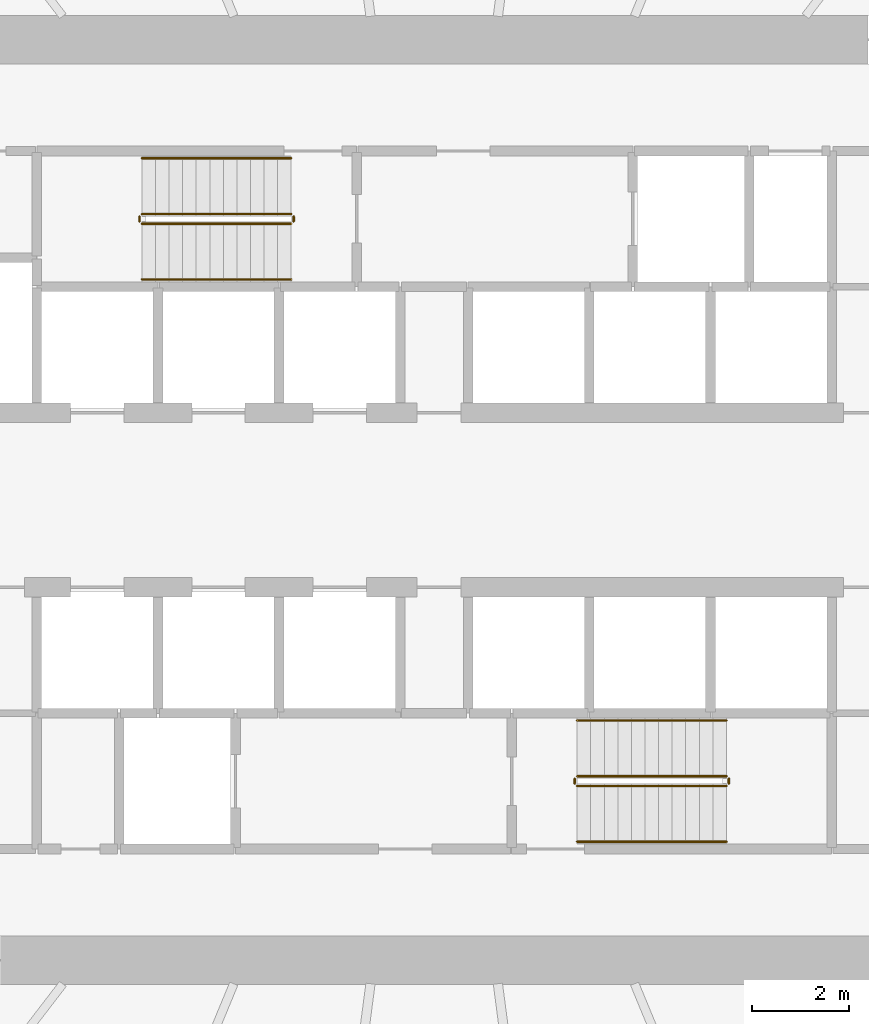
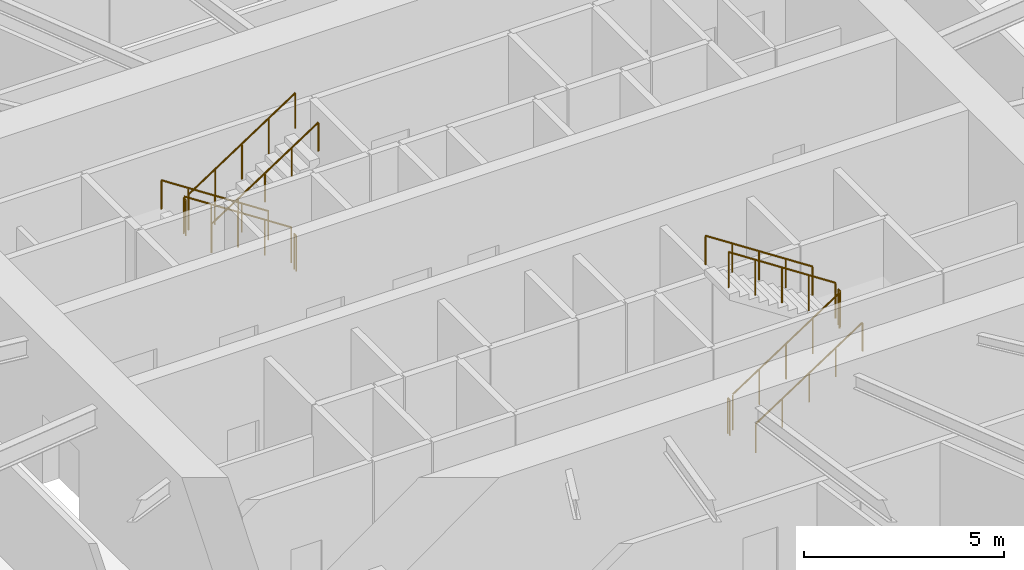
# One storey, part 18 of 19: 12 railings.
"""IFC4 building model written with IfcOpenShell, lengths in metres."""

import ifcopenshell
import ifcopenshell.guid

model = None  # the IFC model being written
_history = None  # IfcOwnerHistory: only IFC2X3 demands one
_inside = {}  # id of a spatial element -> (the spatial element, [elements in it])
_under = {}  # id of a project, library or spatial element -> (it, [spatial elements below it])
_declared = {}  # id of a project -> (the project, [libraries it declares])
_typed = {}  # id of a type object -> (the type object, [elements of that type])
_made_of = {}  # id of a material, layer set ... -> (it, [elements and type objects made of it])


def new_model(schema):
    """Start an empty IFC model of exactly this schema.

    Asked for "IFC4X3", IfcOpenShell would pick the latest addendum, in which some entities
    have other attributes; the version numbers below select the first issue.
    IFC2X3 requires an IfcOwnerHistory on every rooted entity: one is made here for all.
    """
    global model, _history
    if schema == "IFC4X3":
        model = ifcopenshell.file(schema_version=(4, 3, 0, 0))
    else:
        model = ifcopenshell.file(schema=schema)
    _inside.clear()
    _under.clear()
    _declared.clear()
    _typed.clear()
    _made_of.clear()
    _history = None
    if model.schema == "IFC2X3":
        org = make("IfcOrganization", Name="unknown")
        user = make(
            "IfcPersonAndOrganization",
            ThePerson=make("IfcPerson", FamilyName="unknown"),
            TheOrganization=org,
        )
        app = make(
            "IfcApplication",
            ApplicationDeveloper=org,
            Version="unknown",
            ApplicationFullName="unknown",
            ApplicationIdentifier="unknown",
        )
        _history = make(
            "IfcOwnerHistory",
            OwningUser=user,
            OwningApplication=app,
            ChangeAction="ADDED",
            CreationDate=0,
        )
    return model


def make(cls, **values):
    """One entity of the class cls with the attributes given. An attribute that is None is left unset."""
    return model.create_entity(
        cls, **{name: value for name, value in values.items() if value is not None}
    )


def rooted(cls, **values):
    """An entity with a GlobalId (a new one), such as an element, a storey or a relation."""
    return make(cls, GlobalId=ifcopenshell.guid.new(), OwnerHistory=_history, **values)


def si_unit(unit_type, name, prefix=None):
    """IfcSIUnit, for example si_unit("LENGTHUNIT", "METRE", prefix="MILLI")."""
    return make("IfcSIUnit", UnitType=unit_type, Prefix=prefix, Name=name)


def assignment(units):
    """IfcUnitAssignment: the units of a project."""
    return None if units is None else make("IfcUnitAssignment", Units=units)


def point(xyz):
    """IfcCartesianPoint."""
    return None if xyz is None else make("IfcCartesianPoint", Coordinates=xyz)


def direction(xyz):
    """IfcDirection."""
    return None if xyz is None else make("IfcDirection", DirectionRatios=xyz)


def frame(location, z_axis=None, x_axis=None):
    """IfcAxis2Placement3D, a coordinate frame: its origin and axes. An axis left out is left unset."""
    return make(
        "IfcAxis2Placement3D",
        Location=point(location),
        Axis=direction(z_axis),
        RefDirection=direction(x_axis),
    )


def frame_2d(location, x_axis=None):
    """IfcAxis2Placement2D, a coordinate frame in the plane: its origin and x axis."""
    return make(
        "IfcAxis2Placement2D", Location=point(location), RefDirection=direction(x_axis)
    )


def origin():
    """The frame at (0, 0, 0) with its axes left unset."""
    return frame((0.0, 0.0, 0.0))


def origin_2d():
    """The frame at (0, 0) in the plane with its x axis left unset."""
    return frame_2d((0.0, 0.0))


def place(relative_to, where):
    """IfcLocalPlacement: puts the frame where relative to a parent placement (None: the world)."""
    return make(
        "IfcLocalPlacement", PlacementRelTo=relative_to, RelativePlacement=where
    )


def context(
    kind, dimensions, precision=None, world=None, true_north=None, identifier=None
):
    """IfcGeometricRepresentationContext, for example the 3D "Model" context."""
    return make(
        "IfcGeometricRepresentationContext",
        ContextIdentifier=identifier,
        ContextType=kind,
        CoordinateSpaceDimension=dimensions,
        Precision=precision,
        WorldCoordinateSystem=world,
        TrueNorth=true_north,
    )


def subcontext(parent, identifier, kind, view, scale=None):
    """IfcGeometricRepresentationSubContext, for example "Body" below "Model"."""
    return make(
        "IfcGeometricRepresentationSubContext",
        ContextIdentifier=identifier,
        ContextType=kind,
        ParentContext=parent,
        TargetScale=scale,
        TargetView=view,
    )


def project(units=None, contexts=None):
    """IfcProject with its units and contexts."""
    return rooted(
        "IfcProject",
        Name="project",
        RepresentationContexts=contexts,
        UnitsInContext=assignment(units),
    )


def spatial(cls, under=None, at=None, **own):
    """A site, building, storey or space (cls), placed at a placement, below another one or the project."""
    s = rooted(cls, ObjectPlacement=at, **own)
    if under is not None:
        _under.setdefault(under.id(), (under, []))[1].append(s)
    return s


def profile(cls, at=None, kind="AREA", **sizes):
    """A parametric profile (cls). Its sizes go by their IFC names, for example OverallWidth=200.0."""
    return make(cls, ProfileType=kind, Position=at, **sizes)


def circle(**sizes):
    """IfcCircleProfileDef."""
    return profile("IfcCircleProfileDef", **sizes)


def extrude(swept, where, along, depth):
    """IfcExtrudedAreaSolid: the profile swept, set in the frame where, extruded along a direction by depth."""
    return make(
        "IfcExtrudedAreaSolid",
        SweptArea=swept,
        Position=where,
        ExtrudedDirection=direction(along),
        Depth=depth,
    )


def shape(context_of_items, identifier, shape_type, items):
    """IfcShapeRepresentation: the items that make up one representation, for example the "Body"."""
    return make(
        "IfcShapeRepresentation",
        ContextOfItems=context_of_items,
        RepresentationIdentifier=identifier,
        RepresentationType=shape_type,
        Items=items,
    )


def material(Name=None, Category=None):
    """IfcMaterial."""
    return make("IfcMaterial", Name=Name, Category=Category)


def made_of(thing, what):
    """Note that an element or type object is made of a material, layer set ...; save() writes the relation."""
    if what is not None:
        _made_of.setdefault(what.id(), (what, []))[1].append(thing)
    return thing


def type_object(cls, material=None, **own):
    """A type object (cls), such as IfcWallType, which elements share."""
    return made_of(rooted(cls, **own), material)


def element(
    cls,
    number,
    at=None,
    inside=None,
    cuts=None,
    type_object=None,
    material=None,
    context=None,
    identifier="Body",
    shape_type=None,
    held_by="IfcProductDefinitionShape",
    body=None,
    shapes=None,
    **own,
):
    """One element of the class cls, such as IfcWall. Its Tag is "e" and its number.

    at: its placement. inside: the storey or other place that contains it. cuts: it is an
    opening in that element (IfcRelVoidsElement). A single representation is given by context,
    identifier, shape_type and body (its items); several are given by shapes. held_by: the class
    of the entity that holds the representations. save() writes the other relations.
    """
    e = rooted(cls, Tag="e%d" % number, ObjectPlacement=at, **own)
    if body is not None:
        shapes = [shape(context, identifier, shape_type, body)]
    if shapes is not None:
        e.Representation = make(held_by, Representations=shapes)
    if inside is not None:
        _inside.setdefault(inside.id(), (inside, []))[1].append(e)
    if cuts is not None:
        rooted(
            "IfcRelVoidsElement", RelatingBuildingElement=cuts, RelatedOpeningElement=e
        )
    if type_object is not None:
        _typed.setdefault(type_object.id(), (type_object, []))[1].append(e)
    return made_of(e, material)


def aggregate(whole, parts):
    """IfcRelAggregates: a whole, such as a stair, and the parts it consists of."""
    return rooted("IfcRelAggregates", RelatingObject=whole, RelatedObjects=parts)


def save(model, path):
    """Write the relations noted so far, then the file.

    IfcRelAggregates (storeys below a building ...), IfcRelContainedInSpatialStructure (elements
    in a storey), IfcRelDefinesByType, IfcRelAssociatesMaterial and IfcRelDeclares: one each for
    every whole, place, type object, material and project.
    """
    for whole, parts in _under.values():
        aggregate(whole, parts)
    for where, things in _inside.values():
        rooted(
            "IfcRelContainedInSpatialStructure",
            RelatedElements=things,
            RelatingStructure=where,
        )
    for kind, things in _typed.values():
        rooted("IfcRelDefinesByType", RelatedObjects=things, RelatingType=kind)
    for what, things in _made_of.values():
        rooted("IfcRelAssociatesMaterial", RelatedObjects=things, RelatingMaterial=what)
    for by, libraries in _declared.values():
        rooted("IfcRelDeclares", RelatingContext=by, RelatedDefinitions=libraries)
    model.write(path)


model = new_model("IFC4")

# Units and contexts
model_context = context("Model", 3, precision=1e-05, world=origin(), true_north=direction((0.0, 1.0)))
body_context = subcontext(model_context, "Body", "Model", "MODEL_VIEW")
ifc_project = project(units=[si_unit("LENGTHUNIT", "METRE"), si_unit("AREAUNIT", "SQUARE_METRE"), si_unit("VOLUMEUNIT", "CUBIC_METRE"), si_unit("PLANEANGLEUNIT", "RADIAN"), si_unit("MASSUNIT", "GRAM", prefix="KILO")], contexts=[model_context])

# Site, building, storey
site_placement = place(None, origin())
site = spatial("IfcSite", under=ifc_project, at=site_placement, CompositionType="ELEMENT")
building_placement = place(site_placement, origin())
building = spatial("IfcBuilding", under=site, at=building_placement, Name="Spindrift Exchange Tower", CompositionType="ELEMENT")
storey_placement = place(building_placement, frame((0.0, 0.0, 22.60009765625)))
storey = spatial("IfcBuildingStorey", under=building, at=storey_placement, Name="L05", CompositionType="ELEMENT", Elevation=22.60009765625)

# Railings
ifc_material_1 = material(Name="Steel balustrade", Category="steel")
railing_type_1 = type_object("IfcRailingType", Name="RL-STAIR-GUARD", PredefinedType="GUARDRAIL", material=ifc_material_1)
railing_1_placement = place(storey_placement, frame((49.050048828125, 53.89990234375, 0.183349609375)))
element("IfcRailing", 1, at=railing_1_placement, inside=storey, type_object=railing_type_1, Name="L05 ST1 stair guard 1", PredefinedType="GUARDRAIL", context=body_context, shape_type="SweptSolid", body=[
    extrude(circle(Radius=0.02392578125, at=origin_2d()), frame((0.0, 0.0, 1.076171875), z_axis=(-0.836633000464, 0.0, 0.547763838287), x_axis=(0.0, -1.0, 0.0)), (0.0, 0.0, 1.0), 3.681396484375),
    extrude(circle(Radius=0.02099609375, at=origin_2d()), origin(), (0.0, 0.0, 1.0), 1.052001953125),
    extrude(circle(Radius=0.02099609375, at=origin_2d()), frame((-0.77001953125, 0.0, 0.504150390625)), (0.0, 0.0, 1.0), 1.052001953125),
    extrude(circle(Radius=0.02099609375, at=origin_2d()), frame((-1.5400390625, 0.0, 1.00830078125)), (0.0, 0.0, 1.0), 1.052001953125),
    extrude(circle(Radius=0.02099609375, at=origin_2d()), frame((-2.31005859375, 0.0, 1.512451171875)), (0.0, 0.0, 1.0), 1.052001953125),
    extrude(circle(Radius=0.02099609375, at=origin_2d()), frame((-3.080078125, 0.0, 2.0166015625)), (0.0, 0.0, 1.0), 1.052001953125),
])
railing_2_placement = place(storey_placement, frame((45.919921875, 53.85009765625, 2.199951171875)))
element("IfcRailing", 2, at=railing_2_placement, inside=storey, type_object=railing_type_1, Name="L05 ST1 stair guard 2", PredefinedType="GUARDRAIL", context=body_context, shape_type="SweptSolid", body=[
    extrude(circle(Radius=0.02392578125, at=origin_2d()), frame((0.0, 0.0, 1.076171875), z_axis=(0.0, -1.0, 0.0), x_axis=(1.0, 0.0, 0.0)), (0.0, 0.0, 1.0), 0.10009765625),
    extrude(circle(Radius=0.02099609375, at=origin_2d()), origin(), (0.0, 0.0, 1.0), 1.052001953125),
    extrude(circle(Radius=0.02099609375, at=origin_2d()), frame((0.0, -0.10009765625, 0.0)), (0.0, 0.0, 1.0), 1.052001953125),
])
railing_3_placement = place(storey_placement, frame((45.969970703125, 53.699951171875, 2.38330078125)))
element("IfcRailing", 3, at=railing_3_placement, inside=storey, type_object=railing_type_1, Name="L05 ST1 stair guard 3", PredefinedType="GUARDRAIL", context=body_context, shape_type="SweptSolid", body=[
    extrude(circle(Radius=0.02392578125, at=origin_2d()), frame((0.0, 0.0, 1.076171875), z_axis=(0.836633000464, 0.0, 0.547763838287), x_axis=(0.0, 1.0, 0.0)), (0.0, 0.0, 1.0), 3.681396484375),
    extrude(circle(Radius=0.02099609375, at=origin_2d()), origin(), (0.0, 0.0, 1.0), 1.052001953125),
    extrude(circle(Radius=0.02099609375, at=origin_2d()), frame((0.77001953125, 0.0, 0.504150390625)), (0.0, 0.0, 1.0), 1.052001953125),
    extrude(circle(Radius=0.02099609375, at=origin_2d()), frame((1.5400390625, 0.0, 1.00830078125)), (0.0, 0.0, 1.0), 1.052001953125),
    extrude(circle(Radius=0.02099609375, at=origin_2d()), frame((2.31005859375, 0.0, 1.512451171875)), (0.0, 0.0, 1.0), 1.052001953125),
    extrude(circle(Radius=0.02099609375, at=origin_2d()), frame((3.080078125, 0.0, 2.0166015625)), (0.0, 0.0, 1.0), 1.052001953125),
])
railing_4_placement = place(storey_placement, frame((49.10009765625, 53.85009765625, 0.0)))
element("IfcRailing", 4, at=railing_4_placement, inside=storey, type_object=railing_type_1, Name="L05 ST1 stair guard 4", PredefinedType="GUARDRAIL", context=body_context, shape_type="SweptSolid", body=[
    extrude(circle(Radius=0.02392578125, at=origin_2d()), frame((0.0, 0.0, 1.076171875), z_axis=(0.0, -1.0, 0.0), x_axis=(1.0, 0.0, 0.0)), (0.0, 0.0, 1.0), 0.10009765625),
    extrude(circle(Radius=0.02099609375, at=origin_2d()), origin(), (0.0, 0.0, 1.0), 1.052001953125),
    extrude(circle(Radius=0.02099609375, at=origin_2d()), frame((0.0, -0.10009765625, 0.0)), (0.0, 0.0, 1.0), 1.052001953125),
])
railing_5_placement = place(storey_placement, frame((54.949951171875, 42.10009765625, 0.183349609375)))
element("IfcRailing", 5, at=railing_5_placement, inside=storey, type_object=railing_type_1, Name="L05 ST2 stair guard 1", PredefinedType="GUARDRAIL", context=body_context, shape_type="SweptSolid", body=[
    extrude(circle(Radius=0.02392578125, at=origin_2d()), frame((0.0, 0.0, 1.076171875), z_axis=(0.836633000464, 0.0, 0.547763838287), x_axis=(0.0, 1.0, 0.0)), (0.0, 0.0, 1.0), 3.681396484375),
    extrude(circle(Radius=0.02099609375, at=origin_2d()), origin(), (0.0, 0.0, 1.0), 1.052001953125),
    extrude(circle(Radius=0.02099609375, at=origin_2d()), frame((0.77001953125, 0.0, 0.504150390625)), (0.0, 0.0, 1.0), 1.052001953125),
    extrude(circle(Radius=0.02099609375, at=origin_2d()), frame((1.5400390625, 0.0, 1.00830078125)), (0.0, 0.0, 1.0), 1.052001953125),
    extrude(circle(Radius=0.02099609375, at=origin_2d()), frame((2.31005859375, 0.0, 1.512451171875)), (0.0, 0.0, 1.0), 1.052001953125),
    extrude(circle(Radius=0.02099609375, at=origin_2d()), frame((3.080078125, 0.0, 2.0166015625)), (0.0, 0.0, 1.0), 1.052001953125),
])
railing_6_placement = place(storey_placement, frame((58.080078125, 42.14990234375, 2.199951171875)))
element("IfcRailing", 6, at=railing_6_placement, inside=storey, type_object=railing_type_1, Name="L05 ST2 stair guard 2", PredefinedType="GUARDRAIL", context=body_context, shape_type="SweptSolid", body=[
    extrude(circle(Radius=0.02392578125, at=origin_2d()), frame((0.0, 0.0, 1.076171875), z_axis=(0.0, 1.0, 0.0), x_axis=(-1.0, 0.0, 0.0)), (0.0, 0.0, 1.0), 0.10009765625),
    extrude(circle(Radius=0.02099609375, at=origin_2d()), origin(), (0.0, 0.0, 1.0), 1.052001953125),
    extrude(circle(Radius=0.02099609375, at=origin_2d()), frame((0.0, 0.10009765625, 0.0)), (0.0, 0.0, 1.0), 1.052001953125),
])
railing_7_placement = place(storey_placement, frame((58.030029296875, 42.300048828125, 2.38330078125)))
element("IfcRailing", 7, at=railing_7_placement, inside=storey, type_object=railing_type_1, Name="L05 ST2 stair guard 3", PredefinedType="GUARDRAIL", context=body_context, shape_type="SweptSolid", body=[
    extrude(circle(Radius=0.02392578125, at=origin_2d()), frame((0.0, 0.0, 1.076171875), z_axis=(-0.836633000464, 0.0, 0.547763838287), x_axis=(0.0, -1.0, 0.0)), (0.0, 0.0, 1.0), 3.681396484375),
    extrude(circle(Radius=0.02099609375, at=origin_2d()), origin(), (0.0, 0.0, 1.0), 1.052001953125),
    extrude(circle(Radius=0.02099609375, at=origin_2d()), frame((-0.77001953125, 0.0, 0.504150390625)), (0.0, 0.0, 1.0), 1.052001953125),
    extrude(circle(Radius=0.02099609375, at=origin_2d()), frame((-1.5400390625, 0.0, 1.00830078125)), (0.0, 0.0, 1.0), 1.052001953125),
    extrude(circle(Radius=0.02099609375, at=origin_2d()), frame((-2.31005859375, 0.0, 1.512451171875)), (0.0, 0.0, 1.0), 1.052001953125),
    extrude(circle(Radius=0.02099609375, at=origin_2d()), frame((-3.080078125, 0.0, 2.0166015625)), (0.0, 0.0, 1.0), 1.052001953125),
])
railing_8_placement = place(storey_placement, frame((54.89990234375, 42.14990234375, 0.0)))
element("IfcRailing", 8, at=railing_8_placement, inside=storey, type_object=railing_type_1, Name="L05 ST2 stair guard 4", PredefinedType="GUARDRAIL", context=body_context, shape_type="SweptSolid", body=[
    extrude(circle(Radius=0.02392578125, at=origin_2d()), frame((0.0, 0.0, 1.076171875), z_axis=(0.0, 1.0, 0.0), x_axis=(-1.0, 0.0, 0.0)), (0.0, 0.0, 1.0), 0.10009765625),
    extrude(circle(Radius=0.02099609375, at=origin_2d()), origin(), (0.0, 0.0, 1.0), 1.052001953125),
    extrude(circle(Radius=0.02099609375, at=origin_2d()), frame((0.0, 0.10009765625, 0.0)), (0.0, 0.0, 1.0), 1.052001953125),
])
ifc_material_2 = material(Name="Steel tubular handrail", Category="steel")
railing_type_2 = type_object("IfcRailingType", Name="RL-STAIR-HAND", PredefinedType="HANDRAIL", material=ifc_material_2)
railing_9_placement = place(storey_placement, frame((49.050048828125, 55.050048828125, 0.183349609375)))
element("IfcRailing", 9, at=railing_9_placement, inside=storey, type_object=railing_type_2, Name="L05 ST1 stair handrail 1", PredefinedType="HANDRAIL", context=body_context, shape_type="SweptSolid", body=[
    extrude(circle(Radius=0.02392578125, at=origin_2d()), frame((0.0, 0.0, 0.8759765625), z_axis=(-0.836633000464, 0.0, 0.547763838287), x_axis=(0.0, -1.0, 0.0)), (0.0, 0.0, 1.0), 3.681396484375),
    extrude(circle(Radius=0.02099609375, at=origin_2d()), origin(), (0.0, 0.0, 1.0), 0.851806640625),
    extrude(circle(Radius=0.02099609375, at=origin_2d()), frame((-0.77001953125, 0.0, 0.504150390625)), (0.0, 0.0, 1.0), 0.851806640625),
    extrude(circle(Radius=0.02099609375, at=origin_2d()), frame((-1.5400390625, 0.0, 1.00830078125)), (0.0, 0.0, 1.0), 0.851806640625),
    extrude(circle(Radius=0.02099609375, at=origin_2d()), frame((-2.31005859375, 0.0, 1.512451171875)), (0.0, 0.0, 1.0), 0.851806640625),
    extrude(circle(Radius=0.02099609375, at=origin_2d()), frame((-3.080078125, 0.0, 2.0166015625)), (0.0, 0.0, 1.0), 0.851806640625),
])
for number, where, name in (
    (10, (45.969970703125, 52.550048828125, 2.38330078125), "L05 ST1 stair handrail 2"),
    (11, (54.949951171875, 40.949951171875, 0.183349609375), "L05 ST2 stair handrail 1"),
):
    element("IfcRailing", number, at=place(storey_placement, frame(where)), inside=storey, type_object=railing_type_2, Name=name, PredefinedType="HANDRAIL", context=body_context, shape_type="SweptSolid", body=[
        extrude(circle(Radius=0.02392578125, at=origin_2d()), frame((0.0, 0.0, 0.8759765625), z_axis=(0.836633000464, 0.0, 0.547763838287), x_axis=(0.0, 1.0, 0.0)), (0.0, 0.0, 1.0), 3.681396484375),
        extrude(circle(Radius=0.02099609375, at=origin_2d()), origin(), (0.0, 0.0, 1.0), 0.851806640625),
        extrude(circle(Radius=0.02099609375, at=origin_2d()), frame((0.77001953125, 0.0, 0.504150390625)), (0.0, 0.0, 1.0), 0.851806640625),
        extrude(circle(Radius=0.02099609375, at=origin_2d()), frame((1.5400390625, 0.0, 1.00830078125)), (0.0, 0.0, 1.0), 0.851806640625),
        extrude(circle(Radius=0.02099609375, at=origin_2d()), frame((2.31005859375, 0.0, 1.512451171875)), (0.0, 0.0, 1.0), 0.851806640625),
        extrude(circle(Radius=0.02099609375, at=origin_2d()), frame((3.080078125, 0.0, 2.0166015625)), (0.0, 0.0, 1.0), 0.851806640625),
    ])
railing_10_placement = place(storey_placement, frame((58.030029296875, 43.449951171875, 2.38330078125)))
element("IfcRailing", 12, at=railing_10_placement, inside=storey, type_object=railing_type_2, Name="L05 ST2 stair handrail 2", PredefinedType="HANDRAIL", context=body_context, shape_type="SweptSolid", body=[
    extrude(circle(Radius=0.02392578125, at=origin_2d()), frame((0.0, 0.0, 0.8759765625), z_axis=(-0.836633000464, 0.0, 0.547763838287), x_axis=(0.0, -1.0, 0.0)), (0.0, 0.0, 1.0), 3.681396484375),
    extrude(circle(Radius=0.02099609375, at=origin_2d()), origin(), (0.0, 0.0, 1.0), 0.851806640625),
    extrude(circle(Radius=0.02099609375, at=origin_2d()), frame((-0.77001953125, 0.0, 0.504150390625)), (0.0, 0.0, 1.0), 0.851806640625),
    extrude(circle(Radius=0.02099609375, at=origin_2d()), frame((-1.5400390625, 0.0, 1.00830078125)), (0.0, 0.0, 1.0), 0.851806640625),
    extrude(circle(Radius=0.02099609375, at=origin_2d()), frame((-2.31005859375, 0.0, 1.512451171875)), (0.0, 0.0, 1.0), 0.851806640625),
    extrude(circle(Radius=0.02099609375, at=origin_2d()), frame((-3.080078125, 0.0, 2.0166015625)), (0.0, 0.0, 1.0), 0.851806640625),
])

save(model, "model.ifc")
